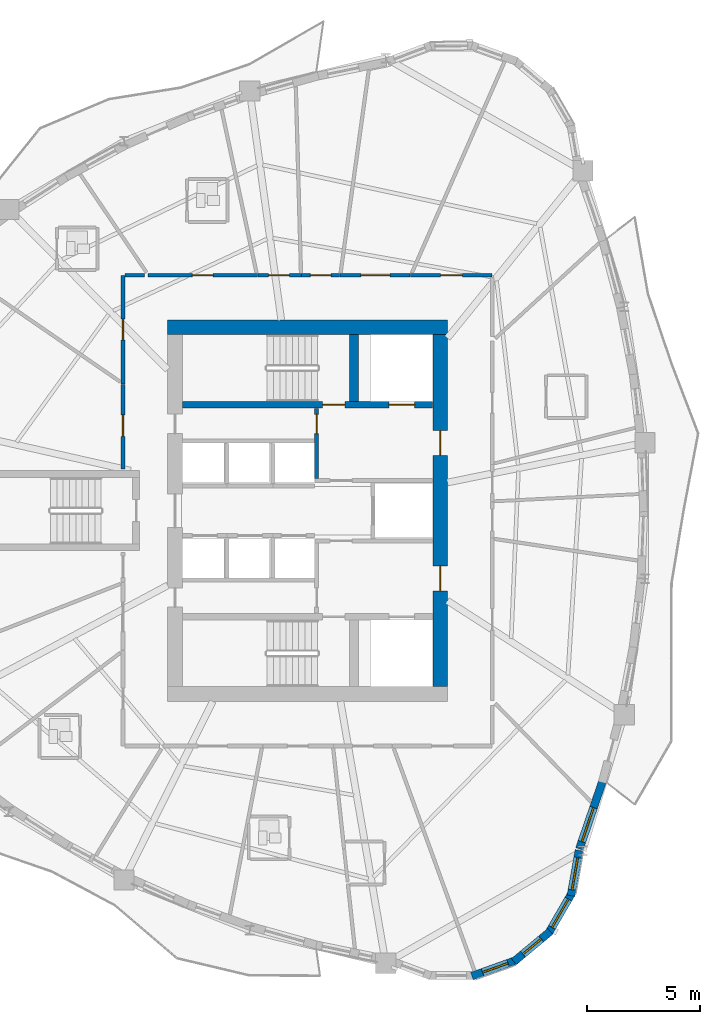
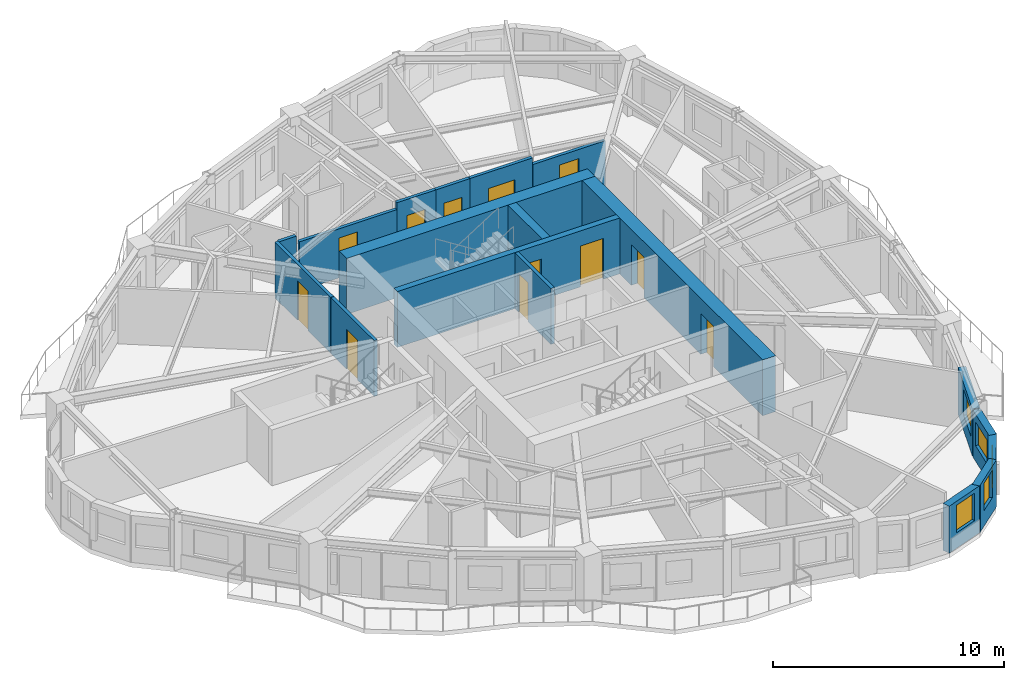
# One storey, part 7 of 14: 18 walls, 12 doors, 5 windows, 17 openings.
"""IFC4 building model written with IfcOpenShell, lengths in metres."""

import ifcopenshell
import ifcopenshell.guid

model = None  # the IFC model being written
_history = None  # IfcOwnerHistory: only IFC2X3 demands one
_inside = {}  # id of a spatial element -> (the spatial element, [elements in it])
_under = {}  # id of a project, library or spatial element -> (it, [spatial elements below it])
_declared = {}  # id of a project -> (the project, [libraries it declares])
_typed = {}  # id of a type object -> (the type object, [elements of that type])
_made_of = {}  # id of a material, layer set ... -> (it, [elements and type objects made of it])


def new_model(schema):
    """Start an empty IFC model of exactly this schema.

    Asked for "IFC4X3", IfcOpenShell would pick the latest addendum, in which some entities
    have other attributes; the version numbers below select the first issue.
    IFC2X3 requires an IfcOwnerHistory on every rooted entity: one is made here for all.
    """
    global model, _history
    if schema == "IFC4X3":
        model = ifcopenshell.file(schema_version=(4, 3, 0, 0))
    else:
        model = ifcopenshell.file(schema=schema)
    _inside.clear()
    _under.clear()
    _declared.clear()
    _typed.clear()
    _made_of.clear()
    _history = None
    if model.schema == "IFC2X3":
        org = make("IfcOrganization", Name="unknown")
        user = make(
            "IfcPersonAndOrganization",
            ThePerson=make("IfcPerson", FamilyName="unknown"),
            TheOrganization=org,
        )
        app = make(
            "IfcApplication",
            ApplicationDeveloper=org,
            Version="unknown",
            ApplicationFullName="unknown",
            ApplicationIdentifier="unknown",
        )
        _history = make(
            "IfcOwnerHistory",
            OwningUser=user,
            OwningApplication=app,
            ChangeAction="ADDED",
            CreationDate=0,
        )
    return model


def make(cls, **values):
    """One entity of the class cls with the attributes given. An attribute that is None is left unset."""
    return model.create_entity(
        cls, **{name: value for name, value in values.items() if value is not None}
    )


def rooted(cls, **values):
    """An entity with a GlobalId (a new one), such as an element, a storey or a relation."""
    return make(cls, GlobalId=ifcopenshell.guid.new(), OwnerHistory=_history, **values)


def si_unit(unit_type, name, prefix=None):
    """IfcSIUnit, for example si_unit("LENGTHUNIT", "METRE", prefix="MILLI")."""
    return make("IfcSIUnit", UnitType=unit_type, Prefix=prefix, Name=name)


def assignment(units):
    """IfcUnitAssignment: the units of a project."""
    return None if units is None else make("IfcUnitAssignment", Units=units)


def point(xyz):
    """IfcCartesianPoint."""
    return None if xyz is None else make("IfcCartesianPoint", Coordinates=xyz)


def direction(xyz):
    """IfcDirection."""
    return None if xyz is None else make("IfcDirection", DirectionRatios=xyz)


def frame(location, z_axis=None, x_axis=None):
    """IfcAxis2Placement3D, a coordinate frame: its origin and axes. An axis left out is left unset."""
    return make(
        "IfcAxis2Placement3D",
        Location=point(location),
        Axis=direction(z_axis),
        RefDirection=direction(x_axis),
    )


def frame_2d(location, x_axis=None):
    """IfcAxis2Placement2D, a coordinate frame in the plane: its origin and x axis."""
    return make(
        "IfcAxis2Placement2D", Location=point(location), RefDirection=direction(x_axis)
    )


def origin():
    """The frame at (0, 0, 0) with its axes left unset."""
    return frame((0.0, 0.0, 0.0))


def place(relative_to, where):
    """IfcLocalPlacement: puts the frame where relative to a parent placement (None: the world)."""
    return make(
        "IfcLocalPlacement", PlacementRelTo=relative_to, RelativePlacement=where
    )


def context(
    kind, dimensions, precision=None, world=None, true_north=None, identifier=None
):
    """IfcGeometricRepresentationContext, for example the 3D "Model" context."""
    return make(
        "IfcGeometricRepresentationContext",
        ContextIdentifier=identifier,
        ContextType=kind,
        CoordinateSpaceDimension=dimensions,
        Precision=precision,
        WorldCoordinateSystem=world,
        TrueNorth=true_north,
    )


def subcontext(parent, identifier, kind, view, scale=None):
    """IfcGeometricRepresentationSubContext, for example "Body" below "Model"."""
    return make(
        "IfcGeometricRepresentationSubContext",
        ContextIdentifier=identifier,
        ContextType=kind,
        ParentContext=parent,
        TargetScale=scale,
        TargetView=view,
    )


def project(units=None, contexts=None):
    """IfcProject with its units and contexts."""
    return rooted(
        "IfcProject",
        Name="project",
        RepresentationContexts=contexts,
        UnitsInContext=assignment(units),
    )


def spatial(cls, under=None, at=None, **own):
    """A site, building, storey or space (cls), placed at a placement, below another one or the project."""
    s = rooted(cls, ObjectPlacement=at, **own)
    if under is not None:
        _under.setdefault(under.id(), (under, []))[1].append(s)
    return s


def profile(cls, at=None, kind="AREA", **sizes):
    """A parametric profile (cls). Its sizes go by their IFC names, for example OverallWidth=200.0."""
    return make(cls, ProfileType=kind, Position=at, **sizes)


def rectangle(**sizes):
    """IfcRectangleProfileDef."""
    return profile("IfcRectangleProfileDef", **sizes)


def extrude(swept, where, along, depth):
    """IfcExtrudedAreaSolid: the profile swept, set in the frame where, extruded along a direction by depth."""
    return make(
        "IfcExtrudedAreaSolid",
        SweptArea=swept,
        Position=where,
        ExtrudedDirection=direction(along),
        Depth=depth,
    )


def shape(context_of_items, identifier, shape_type, items):
    """IfcShapeRepresentation: the items that make up one representation, for example the "Body"."""
    return make(
        "IfcShapeRepresentation",
        ContextOfItems=context_of_items,
        RepresentationIdentifier=identifier,
        RepresentationType=shape_type,
        Items=items,
    )


def source(mapping_origin, context_of_items, identifier, shape_type, items):
    """IfcRepresentationMap: a shape defined once, which mapped items show again and again."""
    return make(
        "IfcRepresentationMap",
        MappingOrigin=mapping_origin,
        MappedRepresentation=shape(context_of_items, identifier, shape_type, items),
    )


def transform(
    local_origin,
    x_axis=None,
    y_axis=None,
    z_axis=None,
    scale=None,
    scale2=None,
    scale3=None,
    uniform=True,
):
    """IfcCartesianTransformationOperator3D, or its non-uniform kind. x_axis, y_axis, z_axis: its Axis1, 2, 3."""
    if uniform:
        return make(
            "IfcCartesianTransformationOperator3D",
            Axis1=direction(x_axis),
            Axis2=direction(y_axis),
            LocalOrigin=point(local_origin),
            Scale=scale,
            Axis3=direction(z_axis),
        )
    return make(
        "IfcCartesianTransformationOperator3DnonUniform",
        Axis1=direction(x_axis),
        Axis2=direction(y_axis),
        LocalOrigin=point(local_origin),
        Scale=scale,
        Axis3=direction(z_axis),
        Scale2=scale2,
        Scale3=scale3,
    )


def mapped(mapping_source, mapping_target):
    """IfcMappedItem: shows the shape of a source again, moved by a transform."""
    return make(
        "IfcMappedItem", MappingSource=mapping_source, MappingTarget=mapping_target
    )


def material(Name=None, Category=None):
    """IfcMaterial."""
    return make("IfcMaterial", Name=Name, Category=Category)


def layer(
    of_material, thickness, ventilated=None, Name=None, Category=None, Priority=None
):
    """IfcMaterialLayer: one layer of a wall or slab, of a material (None: an air gap)."""
    return make(
        "IfcMaterialLayer",
        Material=of_material,
        LayerThickness=thickness,
        IsVentilated=ventilated,
        Name=Name,
        Category=Category,
        Priority=Priority,
    )


def layer_set(layers, Name=None):
    """IfcMaterialLayerSet."""
    return make("IfcMaterialLayerSet", MaterialLayers=layers, LayerSetName=Name)


def made_of(thing, what):
    """Note that an element or type object is made of a material, layer set ...; save() writes the relation."""
    if what is not None:
        _made_of.setdefault(what.id(), (what, []))[1].append(thing)
    return thing


def type_object(cls, material=None, **own):
    """A type object (cls), such as IfcWallType, which elements share."""
    return made_of(rooted(cls, **own), material)


def element(
    cls,
    number,
    at=None,
    inside=None,
    cuts=None,
    type_object=None,
    material=None,
    context=None,
    identifier="Body",
    shape_type=None,
    held_by="IfcProductDefinitionShape",
    body=None,
    shapes=None,
    **own,
):
    """One element of the class cls, such as IfcWall. Its Tag is "e" and its number.

    at: its placement. inside: the storey or other place that contains it. cuts: it is an
    opening in that element (IfcRelVoidsElement). A single representation is given by context,
    identifier, shape_type and body (its items); several are given by shapes. held_by: the class
    of the entity that holds the representations. save() writes the other relations.
    """
    e = rooted(cls, Tag="e%d" % number, ObjectPlacement=at, **own)
    if body is not None:
        shapes = [shape(context, identifier, shape_type, body)]
    if shapes is not None:
        e.Representation = make(held_by, Representations=shapes)
    if inside is not None:
        _inside.setdefault(inside.id(), (inside, []))[1].append(e)
    if cuts is not None:
        rooted(
            "IfcRelVoidsElement", RelatingBuildingElement=cuts, RelatedOpeningElement=e
        )
    if type_object is not None:
        _typed.setdefault(type_object.id(), (type_object, []))[1].append(e)
    return made_of(e, material)


def fill(opening, filler):
    """IfcRelFillsElement: the door or window that sits in an opening."""
    return rooted(
        "IfcRelFillsElement",
        RelatingOpeningElement=opening,
        RelatedBuildingElement=filler,
    )


def aggregate(whole, parts):
    """IfcRelAggregates: a whole, such as a stair, and the parts it consists of."""
    return rooted("IfcRelAggregates", RelatingObject=whole, RelatedObjects=parts)


def save(model, path):
    """Write the relations noted so far, then the file.

    IfcRelAggregates (storeys below a building ...), IfcRelContainedInSpatialStructure (elements
    in a storey), IfcRelDefinesByType, IfcRelAssociatesMaterial and IfcRelDeclares: one each for
    every whole, place, type object, material and project.
    """
    for whole, parts in _under.values():
        aggregate(whole, parts)
    for where, things in _inside.values():
        rooted(
            "IfcRelContainedInSpatialStructure",
            RelatedElements=things,
            RelatingStructure=where,
        )
    for kind, things in _typed.values():
        rooted("IfcRelDefinesByType", RelatedObjects=things, RelatingType=kind)
    for what, things in _made_of.values():
        rooted("IfcRelAssociatesMaterial", RelatedObjects=things, RelatingMaterial=what)
    for by, libraries in _declared.values():
        rooted("IfcRelDeclares", RelatingContext=by, RelatedDefinitions=libraries)
    model.write(path)


model = new_model("IFC4")

# Units and contexts
model_context = context("Model", 3, precision=1e-05, world=origin(), true_north=direction((0.0, 1.0)))
body_context = subcontext(model_context, "Body", "Model", "MODEL_VIEW")
ifc_project = project(units=[si_unit("LENGTHUNIT", "METRE"), si_unit("AREAUNIT", "SQUARE_METRE"), si_unit("VOLUMEUNIT", "CUBIC_METRE"), si_unit("PLANEANGLEUNIT", "RADIAN"), si_unit("MASSUNIT", "GRAM", prefix="KILO")], contexts=[model_context])

# Site, building, storey
site_placement = place(None, origin())
site = spatial("IfcSite", under=ifc_project, at=site_placement, CompositionType="ELEMENT")
building_placement = place(site_placement, origin())
building = spatial("IfcBuilding", under=site, at=building_placement, Name="Qafzar Sky-Pleat Residences", CompositionType="ELEMENT")
storey_placement = place(building_placement, frame((0.0, 0.0, 73.60009765625)))
storey = spatial("IfcBuildingStorey", under=building, at=storey_placement, Name="L21", CompositionType="ELEMENT", Elevation=73.60009765625)

# Wall, opening, door
ifc_material_1 = material(Name="Acoustic gypsum plasterboard partition", Category="gypsum")
ifc_layer_1 = layer(ifc_material_1, 0.159912109375)
ifc_layer_set_1 = layer_set([ifc_layer_1], Name="Acoustic gypsum plasterboard partition")
wall_type_1 = type_object("IfcWallType", Name="PART-COR-160", PredefinedType="PARTITIONING", material=ifc_layer_set_1)
wall_1_placement = place(storey_placement, frame((23.283935546875, 36.429931640625, 0.0), z_axis=(0.0, 0.0, 1.0), x_axis=(1.0, 0.0, 0.0)))
wall_1 = element("IfcWall", 1, at=wall_1_placement, inside=storey, type_object=wall_type_1, Name="L21 Partition Wall PART-L21-PW-003", PredefinedType="PARTITIONING", context=body_context, shape_type="SweptSolid", body=[
    extrude(rectangle(XDim=4.844970703125, YDim=0.159912109375, at=frame_2d((2.42236328125, 0.0))), origin(), (0.0, 0.0, 1.0), 2.587890625),
])
opening_1_placement = place(wall_1_placement, frame((1.96337890625, 0.0, 0.0)))
opening_1 = element("IfcOpeningElement", 2, at=opening_1_placement, cuts=wall_1, Name="Opening ID-04", PredefinedType="OPENING", context=body_context, shape_type="SweptSolid", body=[
    extrude(rectangle(XDim=0.919921875, YDim=2.10009765625, at=frame_2d((0.4599609375, 1.050048828125))), frame((0.0, 0.08984375, 0.0), z_axis=(0.0, -1.0, 0.0), x_axis=(1.0, 0.0, 0.0)), (0.0, 0.0, 1.0), 0.179931640625),
])
ifc_material_2 = material(Name="Timber-faced fire door", Category="wood")
door_type_1 = type_object("IfcDoorType", Name="DR-BED-920", OperationType="NOTDEFINED", PredefinedType="DOOR", material=ifc_material_2)
shared_shape_1 = source(origin(), body_context, "Body", "SweptSolid", [
    extrude(rectangle(XDim=0.919921875, YDim=2.10009765625, at=frame_2d((0.4599609375, 1.050048828125))), frame((0.0, 0.02490234375, 0.0), z_axis=(0.0, -1.0, 0.0), x_axis=(1.0, 0.0, 0.0)), (0.0, 0.0, 1.0), 0.050048828125),
])
door_1_placement = place(opening_1_placement, origin())
door_1 = element("IfcDoor", 3, at=door_1_placement, inside=storey, type_object=door_type_1, Name="L21 Co-Living Bedroom 3 Door", OperationType="SINGLE_SWING_RIGHT", OverallHeight=2.10009765625, OverallWidth=0.919921875, PredefinedType="DOOR", context=body_context, shape_type="MappedRepresentation", body=[
    mapped(shared_shape_1, transform((0.0, 0.0, 0.0), x_axis=(1.0, 0.0, 0.0), y_axis=(0.0, 1.0, 0.0), z_axis=(0.0, 0.0, 1.0), scale=1.0)),
])
fill(opening_1, door_1)

wall_2_placement = place(storey_placement, frame((22.169921875, 31.610107421875, 0.0), z_axis=(0.0, 0.0, 1.0), x_axis=(0.0, 1.0, 0.0)))
wall_2 = element("IfcWall", 4, at=wall_2_placement, inside=storey, type_object=wall_type_1, Name="L21 Partition Wall PART-L21-PW-004", PredefinedType="PARTITIONING", context=body_context, shape_type="SweptSolid", body=[
    extrude(rectangle(XDim=4.81982421875, YDim=0.159912109375, at=frame_2d((2.409912109375, 0.0))), origin(), (0.0, 0.0, 1.0), 2.949951171875),
])
opening_2_placement = place(wall_2_placement, frame((1.958984375, 0.0, 0.0)))
opening_2 = element("IfcOpeningElement", 5, at=opening_2_placement, cuts=wall_2, Name="Opening ID-04", PredefinedType="OPENING", context=body_context, shape_type="SweptSolid", body=[
    extrude(rectangle(XDim=0.919921875, YDim=2.10009765625, at=frame_2d((0.4599609375, 1.050048828125))), frame((0.0, 0.08984375, 0.0), z_axis=(0.0, -1.0, 0.0), x_axis=(1.0, 0.0, 0.0)), (0.0, 0.0, 1.0), 0.179931640625),
])
door_2_placement = place(opening_2_placement, origin())
door_2 = element("IfcDoor", 6, at=door_2_placement, inside=storey, type_object=door_type_1, Name="L21 Co-Living Bedroom 4 Door", OperationType="SINGLE_SWING_LEFT", OverallHeight=2.10009765625, OverallWidth=0.919921875, PredefinedType="DOOR", context=body_context, shape_type="MappedRepresentation", body=[
    mapped(shared_shape_1, transform((0.0, 0.0, 0.0), x_axis=(1.0, 0.0, 0.0), y_axis=(0.0, 1.0, 0.0), z_axis=(0.0, 0.0, 1.0), scale=1.0)),
])
fill(opening_2, door_2)

wall_3_placement = place(storey_placement, frame((22.169921875, 27.85009765625, 0.0), z_axis=(0.0, 0.0, 1.0), x_axis=(0.0, 1.0, 0.0)))
wall_3 = element("IfcWall", 7, at=wall_3_placement, inside=storey, type_object=wall_type_1, Name="L21 Partition Wall PART-L21-PW-008", PredefinedType="PARTITIONING", context=body_context, shape_type="SweptSolid", body=[
    extrude(rectangle(XDim=3.744873046875, YDim=0.159912109375, at=frame_2d((1.87255859375, 0.0))), origin(), (0.0, 0.0, 1.0), 2.949951171875),
])
opening_3_placement = place(wall_3_placement, frame((1.4384765625, 0.0, 0.0)))
opening_3 = element("IfcOpeningElement", 8, at=opening_3_placement, cuts=wall_3, Name="Opening ID-06", PredefinedType="OPENING", context=body_context, shape_type="SweptSolid", body=[
    extrude(rectangle(XDim=0.9599609375, YDim=2.10009765625, at=frame_2d((0.47998046875, 1.050048828125))), frame((0.0, 0.08984375, 0.0), z_axis=(0.0, -1.0, 0.0), x_axis=(1.0, 0.0, 0.0)), (0.0, 0.0, 1.0), 0.179931640625),
])
door_type_2 = type_object("IfcDoorType", Name="DR-STD-960", OperationType="NOTDEFINED", PredefinedType="DOOR", material=ifc_material_2)
shared_shape_2 = source(origin(), body_context, "Body", "SweptSolid", [
    extrude(rectangle(XDim=0.9599609375, YDim=2.10009765625, at=frame_2d((0.47998046875, 1.050048828125))), frame((0.0, 0.02490234375, 0.0), z_axis=(0.0, -1.0, 0.0), x_axis=(1.0, 0.0, 0.0)), (0.0, 0.0, 1.0), 0.050048828125),
])
door_3_placement = place(opening_3_placement, origin())
door_3 = element("IfcDoor", 9, at=door_3_placement, inside=storey, type_object=door_type_2, Name="L21 Scholar Co-Working Workspace Door", OperationType="SINGLE_SWING_RIGHT", OverallHeight=2.10009765625, OverallWidth=0.9599609375, PredefinedType="DOOR", context=body_context, shape_type="MappedRepresentation", body=[
    mapped(shared_shape_2, transform((0.0, 0.0, 0.0), x_axis=(1.0, 0.0, 0.0), y_axis=(0.0, 1.0, 0.0), z_axis=(0.0, 0.0, 1.0), scale=1.0)),
])
fill(opening_3, door_3)

wall_4_placement = place(storey_placement, frame((34.908935546875, 36.429931640625, 0.0), z_axis=(0.0, 0.0, 1.0), x_axis=(1.0, 0.0, 0.0)))
wall_4 = element("IfcWall", 10, at=wall_4_placement, inside=storey, type_object=wall_type_1, Name="L21 Partition Wall PART-L21-PW-009", PredefinedType="PARTITIONING", context=body_context, shape_type="SweptSolid", body=[
    extrude(rectangle(XDim=3.62109375, YDim=0.159912109375, at=frame_2d((1.810546875, 0.0))), origin(), (0.0, 0.0, 1.0), 2.587890625),
])
opening_4_placement = place(wall_4_placement, frame((1.339111328125, 0.0, 0.0)))
opening_4 = element("IfcOpeningElement", 11, at=opening_4_placement, cuts=wall_4, Name="Opening ID-06", PredefinedType="OPENING", context=body_context, shape_type="SweptSolid", body=[
    extrude(rectangle(XDim=0.9599609375, YDim=2.10009765625, at=frame_2d((0.47998046875, 1.050048828125))), frame((0.0, 0.08984375, 0.0), z_axis=(0.0, -1.0, 0.0), x_axis=(1.0, 0.0, 0.0)), (0.0, 0.0, 1.0), 0.179931640625),
])
door_4_placement = place(opening_4_placement, origin())
door_4 = element("IfcDoor", 12, at=door_4_placement, inside=storey, type_object=door_type_2, Name="L21 Reading Library Door", OperationType="SINGLE_SWING_LEFT", OverallHeight=2.10009765625, OverallWidth=0.9599609375, PredefinedType="DOOR", context=body_context, shape_type="MappedRepresentation", body=[
    mapped(shared_shape_2, transform((0.0, 0.0, 0.0), x_axis=(1.0, 0.0, 0.0), y_axis=(0.0, 1.0, 0.0), z_axis=(0.0, 0.0, 1.0), scale=1.0)),
])
fill(opening_4, door_4)

wall_5_placement = place(storey_placement, frame((31.784912109375, 36.429931640625, 0.0), z_axis=(0.0, 0.0, 1.0), x_axis=(1.0, 0.0, 0.0)))
wall_5 = element("IfcWall", 13, at=wall_5_placement, inside=storey, type_object=wall_type_1, Name="L21 Partition Wall PART-L21-PW-011", PredefinedType="PARTITIONING", context=body_context, shape_type="SweptSolid", body=[
    extrude(rectangle(XDim=3.109130859375, YDim=0.159912109375, at=frame_2d((1.5546875, 0.0))), origin(), (0.0, 0.0, 1.0), 2.949951171875),
])
opening_5_placement = place(wall_5_placement, frame((0.927978515625, 0.0, 0.0)))
opening_5 = element("IfcOpeningElement", 14, at=opening_5_placement, cuts=wall_5, Name="Opening ID-05", PredefinedType="OPENING", context=body_context, shape_type="SweptSolid", body=[
    extrude(rectangle(XDim=1.300048828125, YDim=2.10009765625, at=frame_2d((0.64990234375, 1.050048828125))), frame((0.0, 0.08984375, 0.0), z_axis=(0.0, -1.0, 0.0), x_axis=(1.0, 0.0, 0.0)), (0.0, 0.0, 1.0), 0.179931640625),
])
door_type_3 = type_object("IfcDoorType", Name="DR-LNG-1300", OperationType="DOUBLE_DOOR_SINGLE_SWING", PredefinedType="DOOR", material=ifc_material_2)
shared_shape_3 = source(origin(), body_context, "Body", "SweptSolid", [
    extrude(rectangle(XDim=1.300048828125, YDim=2.10009765625, at=frame_2d((0.64990234375, 1.050048828125))), frame((0.0, 0.02490234375, 0.0), z_axis=(0.0, -1.0, 0.0), x_axis=(1.0, 0.0, 0.0)), (0.0, 0.0, 1.0), 0.050048828125),
])
door_5_placement = place(opening_5_placement, origin())
door_5 = element("IfcDoor", 15, at=door_5_placement, inside=storey, type_object=door_type_3, Name="L21 Co-Living Lounge Door", OperationType="DOUBLE_DOOR_SINGLE_SWING", OverallHeight=2.10009765625, OverallWidth=1.300048828125, PredefinedType="DOOR", context=body_context, shape_type="MappedRepresentation", body=[
    mapped(shared_shape_3, transform((0.0, 0.0, 0.0), x_axis=(1.0, 0.0, 0.0), y_axis=(0.0, 1.0, 0.0), z_axis=(0.0, 0.0, 1.0), scale=1.0)),
])
fill(opening_5, door_5)

wall_6_placement = place(storey_placement, frame((28.14404296875, 36.429931640625, 0.0), z_axis=(0.0, 0.0, 1.0), x_axis=(1.0, 0.0, 0.0)))
wall_6 = element("IfcWall", 16, at=wall_6_placement, inside=storey, type_object=wall_type_1, Name="L21 Partition Wall PART-L21-PW-014", PredefinedType="PARTITIONING", context=body_context, shape_type="SweptSolid", body=[
    extrude(rectangle(XDim=1.931884765625, YDim=0.159912109375, at=frame_2d((0.9658203125, 0.0))), origin(), (0.0, 0.0, 1.0), 2.949951171875),
])
opening_6_placement = place(wall_6_placement, frame((0.48291015625, 0.0, 0.0)))
opening_6 = element("IfcOpeningElement", 17, at=opening_6_placement, cuts=wall_6, Name="Opening ID-04", PredefinedType="OPENING", context=body_context, shape_type="SweptSolid", body=[
    extrude(rectangle(XDim=0.919921875, YDim=2.10009765625, at=frame_2d((0.4599609375, 1.050048828125))), frame((0.0, 0.08984375, 0.0), z_axis=(0.0, -1.0, 0.0), x_axis=(1.0, 0.0, 0.0)), (0.0, 0.0, 1.0), 0.179931640625),
])
door_6_placement = place(opening_6_placement, origin())
door_6 = element("IfcDoor", 18, at=door_6_placement, inside=storey, type_object=door_type_1, Name="L21 Co-Living Bedroom 1 Door", OperationType="SINGLE_SWING_RIGHT", OverallHeight=2.10009765625, OverallWidth=0.919921875, PredefinedType="DOOR", context=body_context, shape_type="MappedRepresentation", body=[
    mapped(shared_shape_1, transform((0.0, 0.0, 0.0), x_axis=(1.0, 0.0, 0.0), y_axis=(0.0, 1.0, 0.0), z_axis=(0.0, 0.0, 1.0), scale=1.0)),
])
fill(opening_6, door_6)

wall_7_placement = place(storey_placement, frame((30.091064453125, 36.429931640625, 0.0), z_axis=(0.0, 0.0, 1.0), x_axis=(1.0, 0.0, 0.0)))
wall_7 = element("IfcWall", 19, at=wall_7_placement, inside=storey, type_object=wall_type_1, Name="L21 Partition Wall PART-L21-PW-021", PredefinedType="PARTITIONING", context=body_context, shape_type="SweptSolid", body=[
    extrude(rectangle(XDim=1.678955078125, YDim=0.159912109375, at=frame_2d((0.83935546875, 0.0))), origin(), (0.0, 0.0, 1.0), 2.949951171875),
])
opening_7_placement = place(wall_7_placement, frame((0.37939453125, 0.0, 0.0)))
opening_7 = element("IfcOpeningElement", 20, at=opening_7_placement, cuts=wall_7, Name="Opening ID-04", PredefinedType="OPENING", context=body_context, shape_type="SweptSolid", body=[
    extrude(rectangle(XDim=0.919921875, YDim=2.10009765625, at=frame_2d((0.4599609375, 1.050048828125))), frame((0.0, 0.08984375, 0.0), z_axis=(0.0, -1.0, 0.0), x_axis=(1.0, 0.0, 0.0)), (0.0, 0.0, 1.0), 0.179931640625),
])
door_7_placement = place(opening_7_placement, origin())
door_7 = element("IfcDoor", 21, at=door_7_placement, inside=storey, type_object=door_type_1, Name="L21 Co-Living Bedroom 2 Door", OperationType="SINGLE_SWING_LEFT", OverallHeight=2.10009765625, OverallWidth=0.919921875, PredefinedType="DOOR", context=body_context, shape_type="MappedRepresentation", body=[
    mapped(shared_shape_1, transform((0.0, 0.0, 0.0), x_axis=(1.0, 0.0, 0.0), y_axis=(0.0, 1.0, 0.0), z_axis=(0.0, 0.0, 1.0), scale=1.0)),
])
fill(opening_7, door_7)

# Wall
wall_8_placement = place(storey_placement, frame((22.258056640625, 36.429931640625, 0.0), z_axis=(0.0, 0.0, 1.0), x_axis=(1.0, 0.0, 0.0)))
element("IfcWall", 22, at=wall_8_placement, inside=storey, type_object=wall_type_1, Name="L21 Partition Wall PART-L21-PW-065", PredefinedType="PARTITIONING", context=body_context, shape_type="SweptSolid", body=[
    extrude(rectangle(XDim=0.861328125, YDim=0.159912109375, at=frame_2d((0.4306640625, 0.0))), origin(), (0.0, 0.0, 1.0), 2.949951171875),
])

# Wall, opening, door
ifc_material_3 = material(Name="Concrete blockwork partition", Category="masonry")
ifc_layer_2 = layer(ifc_material_3, 0.179931640625)
ifc_layer_set_2 = layer_set([ifc_layer_2], Name="Concrete blockwork partition")
wall_type_2 = type_object("IfcWallType", Name="PART-SHAFT-180", PredefinedType="PARTITIONING", material=ifc_layer_set_2)
wall_9_placement = place(storey_placement, frame((30.75, 27.429931640625, 0.0), z_axis=(0.0, 0.0, 1.0), x_axis=(0.0, 1.0, 0.0)))
wall_9 = element("IfcWall", 23, at=wall_9_placement, inside=storey, type_object=wall_type_2, Name="L21 Partition Wall PART-L21-FFL2-W", PredefinedType="PARTITIONING", context=body_context, shape_type="SweptSolid", body=[
    extrude(rectangle(XDim=3.110107421875, YDim=0.179931640625, at=frame_2d((1.55517578125, 0.0))), origin(), (0.0, 0.0, 1.0), 2.949951171875),
])
opening_8_placement = place(wall_9_placement, frame((1.97998046875, 0.0, 0.0)))
opening_8 = element("IfcOpeningElement", 24, at=opening_8_placement, cuts=wall_9, Name="Opening ID-09", PredefinedType="OPENING", context=body_context, shape_type="SweptSolid", body=[
    extrude(rectangle(XDim=0.860107421875, YDim=2.050048828125, at=frame_2d((0.43017578125, 1.02490234375))), frame((0.0, 0.10009765625, 0.0), z_axis=(0.0, -1.0, 0.0), x_axis=(1.0, 0.0, 0.0)), (0.0, 0.0, 1.0), 0.199951171875),
])
door_type_4 = type_object("IfcDoorType", Name="DR-SVC-860", OperationType="NOTDEFINED", PredefinedType="DOOR", material=ifc_material_2)
shared_shape_4 = source(origin(), body_context, "Body", "SweptSolid", [
    extrude(rectangle(XDim=0.860107421875, YDim=2.050048828125, at=frame_2d((0.43017578125, 1.02490234375))), frame((0.0, 0.02490234375, 0.0), z_axis=(0.0, -1.0, 0.0), x_axis=(1.0, 0.0, 0.0)), (0.0, 0.0, 1.0), 0.050048828125),
])
door_8_placement = place(opening_8_placement, origin())
door_8 = element("IfcDoor", 25, at=door_8_placement, inside=storey, type_object=door_type_4, Name="L21 North Core Cupboard Door", OperationType="SINGLE_SWING_RIGHT", OverallHeight=2.050048828125, OverallWidth=0.860107421875, PredefinedType="DOOR", context=body_context, shape_type="MappedRepresentation", body=[
    mapped(shared_shape_4, transform((0.0, 0.0, 0.0), x_axis=(1.0, 0.0, 0.0), y_axis=(0.0, 1.0, 0.0), z_axis=(0.0, 0.0, 1.0), scale=1.0)),
])
fill(opening_8, door_8)

# Wall, opening, window
ifc_material_4 = material(Name="Precast concrete C40/50 with honed Riyadh limestone", Category="concrete")
ifc_layer_3 = layer(ifc_material_4, 0.35009765625)
ifc_layer_set_3 = layer_set([ifc_layer_3], Name="Precast concrete C40/50 with honed Riyadh limestone")
wall_type_3 = type_object("IfcWallType", Name="WALL-EXT-350", PredefinedType="SOLIDWALL", material=ifc_layer_set_3)
wall_10_placement = place(storey_placement, frame((37.6376953125, 5.3671875, 0.0), z_axis=(0.0, 0.0, 1.0), x_axis=(0.941486401639, 0.33705096874, 0.0)))
wall_10 = element("IfcWall", 26, at=wall_10_placement, inside=storey, type_object=wall_type_3, Name="L21 Limestone Facade Wall 19", PredefinedType="SOLIDWALL", context=body_context, shape_type="SweptSolid", body=[
    extrude(rectangle(XDim=2.09912109375, YDim=0.35009765625, at=frame_2d((1.049560546875, 0.0))), origin(), (0.0, 0.0, 1.0), 2.47998046875),
])
opening_9_placement = place(wall_10_placement, frame((0.502197265625, 0.0, 0.820068359375)))
opening_9 = element("IfcOpeningElement", 27, at=opening_9_placement, cuts=wall_10, Name="Opening WN-05", PredefinedType="OPENING", context=body_context, shape_type="SweptSolid", body=[
    extrude(rectangle(XDim=1.199951171875, YDim=1.449951171875, at=frame_2d((0.60009765625, 0.72509765625))), frame((0.0, 0.18505859375, 0.0), z_axis=(0.0, -1.0, 0.0), x_axis=(1.0, 0.0, 0.0)), (0.0, 0.0, 1.0), 0.3701171875),
])
ifc_material_5 = material(Name="Solar-control low-E glass in bronze aluminium frame", Category="glass")
window_type_1 = type_object("IfcWindowType", Name="WIN-05", PartitioningType="SINGLE_PANEL", PredefinedType="WINDOW", material=ifc_material_5)
shared_shape_5 = source(origin(), body_context, "Body", "SweptSolid", [
    extrude(rectangle(XDim=1.199951171875, YDim=1.449951171875, at=frame_2d((0.60009765625, 0.72509765625))), frame((0.0, 0.030029296875, 0.0), z_axis=(0.0, -1.0, 0.0), x_axis=(1.0, 0.0, 0.0)), (0.0, 0.0, 1.0), 0.06005859375),
])
window_1_placement = place(opening_9_placement, origin())
window_1 = element("IfcWindow", 28, at=window_1_placement, inside=storey, type_object=window_type_1, Name="L21 Punched Facade Window 19", OverallHeight=1.449951171875, OverallWidth=1.199951171875, PartitioningType="SINGLE_PANEL", PredefinedType="WINDOW", context=body_context, shape_type="MappedRepresentation", body=[
    mapped(shared_shape_5, transform((0.0, 0.0, 0.0), x_axis=(1.0, 0.0, 0.0), y_axis=(0.0, 1.0, 0.0), z_axis=(0.0, 0.0, 1.0), scale=1.0)),
])
fill(opening_9, window_1)

wall_11_placement = place(storey_placement, frame((39.49609375, 6.00732421875, 0.0), z_axis=(0.0, 0.0, 1.0), x_axis=(0.768450068703, 0.639909752942, 0.0)))
wall_11 = element("IfcWall", 29, at=wall_11_placement, inside=storey, type_object=wall_type_3, Name="L21 Limestone Facade Wall 20", PredefinedType="SOLIDWALL", context=body_context, shape_type="SweptSolid", body=[
    extrude(rectangle(XDim=2.098876953125, YDim=0.35009765625, at=frame_2d((1.04931640625, 0.0))), origin(), (0.0, 0.0, 1.0), 2.47998046875),
])
opening_10_placement = place(wall_11_placement, frame((0.5244140625, 0.0, 0.820068359375)))
opening_10 = element("IfcOpeningElement", 30, at=opening_10_placement, cuts=wall_11, Name="Opening WN-06", PredefinedType="OPENING", context=body_context, shape_type="SweptSolid", body=[
    extrude(rectangle(XDim=1.050048828125, YDim=1.449951171875, at=frame_2d((0.52490234375, 0.72509765625))), frame((0.0, 0.18505859375, 0.0), z_axis=(0.0, -1.0, 0.0), x_axis=(1.0, 0.0, 0.0)), (0.0, 0.0, 1.0), 0.3701171875),
])
window_type_2 = type_object("IfcWindowType", Name="WIN-06", PartitioningType="SINGLE_PANEL", PredefinedType="WINDOW", material=ifc_material_5)
shared_shape_6 = source(origin(), body_context, "Body", "SweptSolid", [
    extrude(rectangle(XDim=1.050048828125, YDim=1.449951171875, at=frame_2d((0.52490234375, 0.72509765625))), frame((0.0, 0.030029296875, 0.0), z_axis=(0.0, -1.0, 0.0), x_axis=(1.0, 0.0, 0.0)), (0.0, 0.0, 1.0), 0.06005859375),
])
window_2_placement = place(opening_10_placement, origin())
window_2 = element("IfcWindow", 31, at=window_2_placement, inside=storey, type_object=window_type_2, Name="L21 Punched Facade Window 20", OverallHeight=1.449951171875, OverallWidth=1.050048828125, PartitioningType="SINGLE_PANEL", PredefinedType="WINDOW", context=body_context, shape_type="MappedRepresentation", body=[
    mapped(shared_shape_6, transform((0.0, 0.0, 0.0), x_axis=(1.0, 0.0, 0.0), y_axis=(0.0, 1.0, 0.0), z_axis=(0.0, 0.0, 1.0), scale=1.0)),
])
fill(opening_10, window_2)

wall_12_placement = place(storey_placement, frame((41.021484375, 7.24658203125, 0.0), z_axis=(0.0, 0.0, 1.0), x_axis=(0.501902596059, 0.864924149315, 0.0)))
wall_12 = element("IfcWall", 32, at=wall_12_placement, inside=storey, type_object=wall_type_3, Name="L21 Limestone Facade Wall 21", PredefinedType="SOLIDWALL", context=body_context, shape_type="SweptSolid", body=[
    extrude(rectangle(XDim=2.098876953125, YDim=0.35009765625, at=frame_2d((1.04931640625, 0.0))), origin(), (0.0, 0.0, 1.0), 2.47998046875),
])
opening_11_placement = place(wall_12_placement, frame((0.324462890625, 0.0, 0.820068359375)))
opening_11 = element("IfcOpeningElement", 33, at=opening_11_placement, cuts=wall_12, Name="Opening WN-15", PredefinedType="OPENING", context=body_context, shape_type="SweptSolid", body=[
    extrude(rectangle(XDim=1.449951171875, YDim=1.25, at=frame_2d((0.72509765625, 0.625))), frame((0.0, 0.18505859375, 0.0), z_axis=(0.0, -1.0, 0.0), x_axis=(1.0, 0.0, 0.0)), (0.0, 0.0, 1.0), 0.3701171875),
])
window_type_3 = type_object("IfcWindowType", Name="WIN-15", PartitioningType="SINGLE_PANEL", PredefinedType="WINDOW", material=ifc_material_5)
shared_shape_7 = source(origin(), body_context, "Body", "SweptSolid", [
    extrude(rectangle(XDim=1.449951171875, YDim=1.25, at=frame_2d((0.72509765625, 0.625))), frame((0.0, 0.030029296875, 0.0), z_axis=(0.0, -1.0, 0.0), x_axis=(1.0, 0.0, 0.0)), (0.0, 0.0, 1.0), 0.06005859375),
])
window_3_placement = place(opening_11_placement, origin())
window_3 = element("IfcWindow", 34, at=window_3_placement, inside=storey, type_object=window_type_3, Name="L21 Punched Facade Window 21", OverallHeight=1.25, OverallWidth=1.449951171875, PartitioningType="SINGLE_PANEL", PredefinedType="WINDOW", context=body_context, shape_type="MappedRepresentation", body=[
    mapped(shared_shape_7, transform((0.0, 0.0, 0.0), x_axis=(1.0, 0.0, 0.0), y_axis=(0.0, 1.0, 0.0), z_axis=(0.0, 0.0, 1.0), scale=1.0)),
])
fill(opening_11, window_3)

wall_13_placement = place(storey_placement, frame((42.0283203125, 8.934326171875, 0.0), z_axis=(0.0, 0.0, 1.0), x_axis=(0.174399433509, 0.984674990843, 0.0)))
wall_13 = element("IfcWall", 35, at=wall_13_placement, inside=storey, type_object=wall_type_3, Name="L21 Limestone Facade Wall 22", PredefinedType="SOLIDWALL", context=body_context, shape_type="SweptSolid", body=[
    extrude(rectangle(XDim=2.041015625, YDim=0.35009765625, at=frame_2d((1.0205078125, 0.0))), origin(), (0.0, 0.0, 1.0), 2.47998046875),
])
opening_12_placement = place(wall_13_placement, frame((0.265380859375, 0.0, 0.820068359375)))
opening_12 = element("IfcOpeningElement", 36, at=opening_12_placement, cuts=wall_13, Name="Opening WN-15", PredefinedType="OPENING", context=body_context, shape_type="SweptSolid", body=[
    extrude(rectangle(XDim=1.449951171875, YDim=1.25, at=frame_2d((0.72509765625, 0.625))), frame((0.0, 0.18505859375, 0.0), z_axis=(0.0, -1.0, 0.0), x_axis=(1.0, 0.0, 0.0)), (0.0, 0.0, 1.0), 0.3701171875),
])
window_4_placement = place(opening_12_placement, origin())
window_4 = element("IfcWindow", 37, at=window_4_placement, inside=storey, type_object=window_type_3, Name="L21 Punched Facade Window 22", OverallHeight=1.25, OverallWidth=1.449951171875, PartitioningType="SINGLE_PANEL", PredefinedType="WINDOW", context=body_context, shape_type="MappedRepresentation", body=[
    mapped(shared_shape_7, transform((0.0, 0.0, 0.0), x_axis=(1.0, 0.0, 0.0), y_axis=(0.0, 1.0, 0.0), z_axis=(0.0, 0.0, 1.0), scale=1.0)),
])
fill(opening_12, window_4)

wall_14_placement = place(storey_placement, frame((42.40087890625, 11.0087890625, 0.0), z_axis=(0.0, 0.0, 1.0), x_axis=(0.323605065536, 0.946192243447, 0.0)))
wall_14 = element("IfcWall", 38, at=wall_14_placement, inside=storey, type_object=wall_type_3, Name="L21 Limestone Facade Wall 23", PredefinedType="SOLIDWALL", context=body_context, shape_type="SweptSolid", body=[
    extrude(rectangle(XDim=3.20263671875, YDim=0.35009765625, at=frame_2d((1.601318359375, 0.0))), origin(), (0.0, 0.0, 1.0), 2.47998046875),
])
opening_13_placement = place(wall_14_placement, frame((0.334228515625, 0.0, 0.820068359375)))
opening_13 = element("IfcOpeningElement", 39, at=opening_13_placement, cuts=wall_14, Name="Opening WN-09", PredefinedType="OPENING", context=body_context, shape_type="SweptSolid", body=[
    extrude(rectangle(XDim=1.60009765625, YDim=1.35009765625, at=frame_2d((0.800048828125, 0.675048828125))), frame((0.0, 0.18505859375, 0.0), z_axis=(0.0, -1.0, 0.0), x_axis=(1.0, 0.0, 0.0)), (0.0, 0.0, 1.0), 0.3701171875),
])
window_type_4 = type_object("IfcWindowType", Name="WIN-09", PartitioningType="DOUBLE_PANEL_VERTICAL", PredefinedType="WINDOW", material=ifc_material_5)
shared_shape_8 = source(origin(), body_context, "Body", "SweptSolid", [
    extrude(rectangle(XDim=1.60009765625, YDim=1.35009765625, at=frame_2d((0.800048828125, 0.675048828125))), frame((0.0, 0.030029296875, 0.0), z_axis=(0.0, -1.0, 0.0), x_axis=(1.0, 0.0, 0.0)), (0.0, 0.0, 1.0), 0.06005859375),
])
window_5_placement = place(opening_13_placement, origin())
window_5 = element("IfcWindow", 40, at=window_5_placement, inside=storey, type_object=window_type_4, Name="L21 Punched Facade Window 23", OverallHeight=1.35009765625, OverallWidth=1.60009765625, PartitioningType="SINGLE_PANEL", PredefinedType="WINDOW", context=body_context, shape_type="MappedRepresentation", body=[
    mapped(shared_shape_8, transform((0.0, 0.0, 0.0), x_axis=(1.0, 0.0, 0.0), y_axis=(0.0, 1.0, 0.0), z_axis=(0.0, 0.0, 1.0), scale=1.0)),
])
fill(opening_13, window_5)

# Wall, openings, doors
ifc_material_6 = material(Name="Concrete C60/75", Category="concrete")
ifc_layer_4 = layer(ifc_material_6, 0.300048828125)
ifc_layer_set_4 = layer_set([ifc_layer_4], Name="Concrete C60/75")
wall_type_4 = type_object("IfcWallType", Name="WALL-SHEAR-300", PredefinedType="SHEAR", material=ifc_layer_set_4)
wall_15_placement = place(storey_placement, frame((24.800048828125, 30.699951171875, 0.0), z_axis=(0.0, 0.0, 1.0), x_axis=(1.0, 0.0, 0.0)))
wall_15 = element("IfcWall", 41, at=wall_15_placement, inside=storey, type_object=wall_type_4, Name="L21 Stair ST2 and FF2 Shaft South Wall", PredefinedType="SHEAR", context=body_context, shape_type="SweptSolid", body=[
    extrude(rectangle(XDim=11.099853515625, YDim=0.300048828125, at=frame_2d((5.5498046875, 0.0))), origin(), (0.0, 0.0, 1.0), 2.949951171875),
])
opening_14_placement = place(wall_15_placement, frame((6.219970703125, 0.0, 0.0)))
opening_14 = element("IfcOpeningElement", 42, at=opening_14_placement, cuts=wall_15, Name="Opening ID-01", PredefinedType="OPENING", context=body_context, shape_type="SweptSolid", body=[
    extrude(rectangle(XDim=0.97998046875, YDim=2.14990234375, at=frame_2d((0.489990234375, 1.074951171875))), frame((0.0, 0.16015625, 0.0), z_axis=(0.0, -1.0, 0.0), x_axis=(1.0, 0.0, 0.0)), (0.0, 0.0, 1.0), 0.320068359375),
])
opening_15_placement = place(wall_15_placement, frame((9.14990234375, 0.0, 0.0)))
opening_15 = element("IfcOpeningElement", 43, at=opening_15_placement, cuts=wall_15, Name="Opening LD-02", PredefinedType="OPENING", context=body_context, shape_type="SweptSolid", body=[
    extrude(rectangle(XDim=1.14990234375, YDim=2.14990234375, at=frame_2d((0.574951171875, 1.074951171875))), frame((0.0, 0.16015625, 0.0), z_axis=(0.0, -1.0, 0.0), x_axis=(1.0, 0.0, 0.0)), (0.0, 0.0, 1.0), 0.320068359375),
])
door_type_5 = type_object("IfcDoorType", Name="DR-STAIR-980", OperationType="NOTDEFINED", PredefinedType="DOOR", material=ifc_material_2)
shared_shape_9 = source(origin(), body_context, "Body", "SweptSolid", [
    extrude(rectangle(XDim=0.97998046875, YDim=2.14990234375, at=frame_2d((0.489990234375, 1.074951171875))), frame((0.0, 0.02490234375, 0.0), z_axis=(0.0, -1.0, 0.0), x_axis=(1.0, 0.0, 0.0)), (0.0, 0.0, 1.0), 0.050048828125),
])
door_9_placement = place(opening_14_placement, origin())
door_9 = element("IfcDoor", 44, at=door_9_placement, inside=storey, type_object=door_type_5, Name="L21 Stair ST2 Fire Door", OperationType="SINGLE_SWING_RIGHT", OverallHeight=2.14990234375, OverallWidth=0.97998046875, PredefinedType="DOOR", context=body_context, shape_type="MappedRepresentation", body=[
    mapped(shared_shape_9, transform((0.0, 0.0, 0.0), x_axis=(1.0, 0.0, 0.0), y_axis=(0.0, 1.0, 0.0), z_axis=(0.0, 0.0, 1.0), scale=1.0)),
])
fill(opening_14, door_9)
ifc_material_7 = material(Name="Stainless steel sliding landing door", Category="steel")
door_type_6 = type_object("IfcDoorType", Name="DR-LIFT-FF", OperationType="DOUBLE_DOOR_SLIDING", PredefinedType="DOOR", material=ifc_material_7)
shared_shape_10 = source(origin(), body_context, "Body", "SweptSolid", [
    extrude(rectangle(XDim=1.14990234375, YDim=2.14990234375, at=frame_2d((0.574951171875, 1.074951171875))), frame((0.0, 0.02490234375, 0.0), z_axis=(0.0, -1.0, 0.0), x_axis=(1.0, 0.0, 0.0)), (0.0, 0.0, 1.0), 0.050048828125),
])
door_10_placement = place(opening_15_placement, origin())
door_10 = element("IfcDoor", 45, at=door_10_placement, inside=storey, type_object=door_type_6, Name="L21 Firefighting Lift FF2 Landing Door", OperationType="DOUBLE_DOOR_SLIDING", OverallHeight=2.14990234375, OverallWidth=1.14990234375, PredefinedType="DOOR", context=body_context, shape_type="MappedRepresentation", body=[
    mapped(shared_shape_10, transform((0.0, 0.0, 0.0), x_axis=(1.0, 0.0, 0.0), y_axis=(0.0, 1.0, 0.0), z_axis=(0.0, 0.0, 1.0), scale=1.0)),
])
fill(opening_15, door_10)

# Walls
ifc_layer_5 = layer(ifc_material_6, 0.39990234375)
ifc_layer_set_5 = layer_set([ifc_layer_5], Name="Concrete C60/75")
wall_type_5 = type_object("IfcWallType", Name="WALL-SHEAR-400", PredefinedType="SHEAR", material=ifc_layer_set_5)
wall_16_placement = place(storey_placement, frame((32.39990234375, 30.85009765625, 0.0), z_axis=(0.0, 0.0, 1.0), x_axis=(0.0, 1.0, 0.0)))
element("IfcWall", 46, at=wall_16_placement, inside=storey, type_object=wall_type_5, Name="L21 Stair ST2 East Dividing Wall", PredefinedType="SHEAR", context=body_context, shape_type="SweptSolid", body=[
    extrude(rectangle(XDim=2.949951171875, YDim=0.39990234375, at=frame_2d((1.47509765625, 0.0))), origin(), (0.0, 0.0, 1.0), 2.949951171875),
])
ifc_layer_6 = layer(ifc_material_6, 0.64990234375)
ifc_layer_set_6 = layer_set([ifc_layer_6], Name="Concrete C60/75")
wall_type_6 = type_object("IfcWallType", Name="WALL-SHEAR-650", PredefinedType="SHEAR", material=ifc_layer_set_6)
wall_17_placement = place(storey_placement, frame((36.550048828125, 34.125, 0.0), z_axis=(0.0, 0.0, 1.0), x_axis=(-1.0, 0.0, 0.0)))
element("IfcWall", 47, at=wall_17_placement, inside=storey, type_object=wall_type_6, Name="L21 CORE wall N", PredefinedType="SHEAR", context=body_context, shape_type="SweptSolid", body=[
    extrude(rectangle(XDim=12.400146484375, YDim=0.64990234375, at=frame_2d((6.2001953125, 0.0))), origin(), (0.0, 0.0, 1.0), 2.949951171875),
])

# Wall, openings, doors
wall_18_placement = place(storey_placement, frame((36.22509765625, 18.199951171875, 0.0), z_axis=(0.0, 0.0, 1.0), x_axis=(0.0, 1.0, 0.0)))
wall_18 = element("IfcWall", 48, at=wall_18_placement, inside=storey, type_object=wall_type_6, Name="L21 CORE wall E", PredefinedType="SHEAR", context=body_context, shape_type="SweptSolid", body=[
    extrude(rectangle(XDim=15.60009765625, YDim=0.64990234375, at=frame_2d((7.800048828125, 0.0))), origin(), (0.0, 0.0, 1.0), 2.949951171875),
])
opening_16_placement = place(wall_18_placement, frame((4.25, 0.0, 0.0)))
opening_16 = element("IfcOpeningElement", 49, at=opening_16_placement, cuts=wall_18, Name="Opening ID-02", PredefinedType="OPENING", context=body_context, shape_type="SweptSolid", body=[
    extrude(rectangle(XDim=1.10009765625, YDim=2.14990234375, at=frame_2d((0.550048828125, 1.074951171875))), frame((0.0, 0.3349609375, 0.0), z_axis=(0.0, -1.0, 0.0), x_axis=(1.0, 0.0, 0.0)), (0.0, 0.0, 1.0), 0.669921875),
])
opening_17_placement = place(wall_18_placement, frame((10.25, 0.0, 0.0)))
opening_17 = element("IfcOpeningElement", 50, at=opening_17_placement, cuts=wall_18, Name="Opening ID-02", PredefinedType="OPENING", context=body_context, shape_type="SweptSolid", body=[
    extrude(rectangle(XDim=1.10009765625, YDim=2.14990234375, at=frame_2d((0.550048828125, 1.074951171875))), frame((0.0, 0.3349609375, 0.0), z_axis=(0.0, -1.0, 0.0), x_axis=(1.0, 0.0, 0.0)), (0.0, 0.0, 1.0), 0.669921875),
])
door_type_7 = type_object("IfcDoorType", Name="DR-FFL-1100", OperationType="NOTDEFINED", PredefinedType="DOOR", material=ifc_material_2)
shared_shape_11 = source(origin(), body_context, "Body", "SweptSolid", [
    extrude(rectangle(XDim=1.10009765625, YDim=2.14990234375, at=frame_2d((0.550048828125, 1.074951171875))), frame((0.0, 0.02490234375, 0.0), z_axis=(0.0, -1.0, 0.0), x_axis=(1.0, 0.0, 0.0)), (0.0, 0.0, 1.0), 0.050048828125),
])
door_11_placement = place(opening_16_placement, origin())
door_11 = element("IfcDoor", 51, at=door_11_placement, inside=storey, type_object=door_type_7, Name="L21 Firefighting Lobby South Corridor Door", OperationType="SINGLE_SWING_RIGHT", OverallHeight=2.14990234375, OverallWidth=1.10009765625, PredefinedType="DOOR", context=body_context, shape_type="MappedRepresentation", body=[
    mapped(shared_shape_11, transform((0.0, 0.0, 0.0), x_axis=(1.0, 0.0, 0.0), y_axis=(0.0, 1.0, 0.0), z_axis=(0.0, 0.0, 1.0), scale=1.0)),
])
fill(opening_16, door_11)
door_12_placement = place(opening_17_placement, origin())
door_12 = element("IfcDoor", 52, at=door_12_placement, inside=storey, type_object=door_type_7, Name="L21 Firefighting Lobby North Corridor Door", OperationType="SINGLE_SWING_LEFT", OverallHeight=2.14990234375, OverallWidth=1.10009765625, PredefinedType="DOOR", context=body_context, shape_type="MappedRepresentation", body=[
    mapped(shared_shape_11, transform((0.0, 0.0, 0.0), x_axis=(1.0, 0.0, 0.0), y_axis=(0.0, 1.0, 0.0), z_axis=(0.0, 0.0, 1.0), scale=1.0)),
])
fill(opening_17, door_12)

save(model, "model.ifc")
